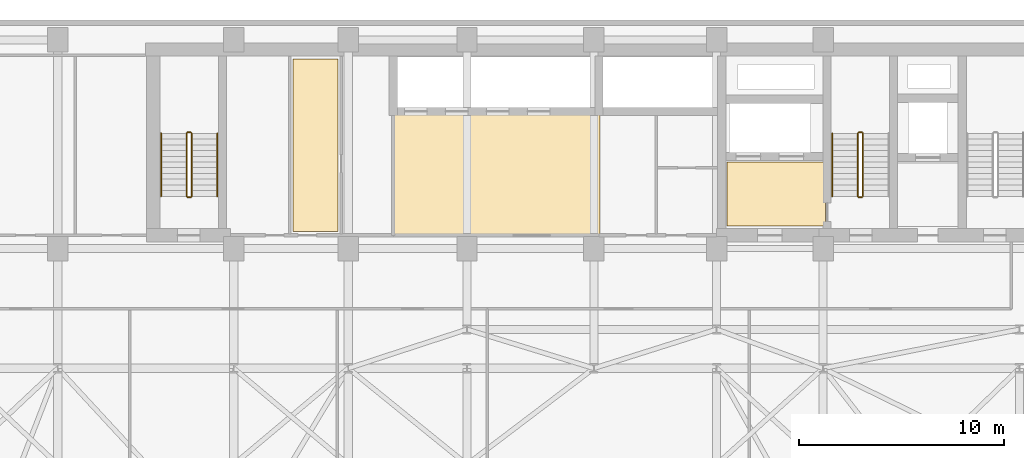
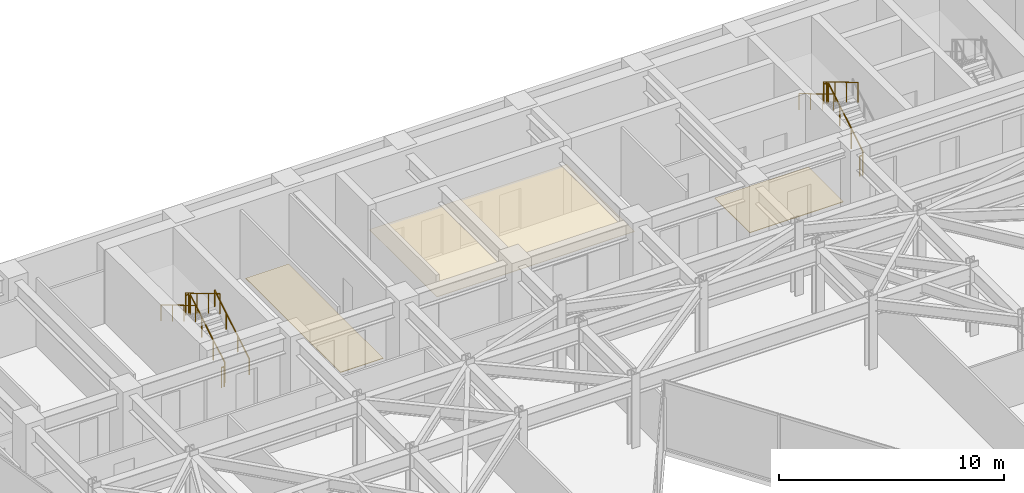
# One storey, part 25 of 26: 11 railings, 3 coverings.
"""IFC4 building model written with IfcOpenShell, lengths in metres."""

from ifc_helpers import new_model, si_unit, direction, frame, origin, origin_2d, place, context, subcontext, project, spatial, polyline, circle, outline, extrude, material, layer, layer_set, type_object, element, save


model = new_model("IFC4")

# Units and contexts
model_context = context("Model", 3, precision=1e-05, world=origin(), true_north=direction((0.0, 1.0)))
body_context = subcontext(model_context, "Body", "Model", "MODEL_VIEW")
ifc_project = project(units=[si_unit("LENGTHUNIT", "METRE"), si_unit("AREAUNIT", "SQUARE_METRE"), si_unit("VOLUMEUNIT", "CUBIC_METRE"), si_unit("PLANEANGLEUNIT", "RADIAN"), si_unit("MASSUNIT", "GRAM", prefix="KILO")], contexts=[model_context])

# Site, building, storey
site_placement = place(None, origin())
site = spatial("IfcSite", under=ifc_project, at=site_placement, CompositionType="ELEMENT")
building_placement = place(site_placement, origin())
building = spatial("IfcBuilding", under=site, at=building_placement, Name="Kravanh Interchange Tower", CompositionType="ELEMENT")
storey_placement = place(building_placement, frame((0.0, 0.0, 152.0)))
storey = spatial("IfcBuildingStorey", under=building, at=storey_placement, Name="L36", CompositionType="ELEMENT", Elevation=152.0)

# Coverings
ifc_material_1 = material(Name="Cementitious Terrazzo Tile")
ifc_layer_1 = layer(ifc_material_1, 0.030029296875)
ifc_layer_set_1 = layer_set([ifc_layer_1], Name="Honed Terrazzo Lobby Flooring 30mm")
covering_type_1 = type_object("IfcCoveringType", Name="Honed Terrazzo Lobby Flooring 30mm", PredefinedType="FLOORING", material=ifc_layer_set_1)
covering_1_placement = place(storey_placement, origin())
element("IfcCovering", 1, at=covering_1_placement, inside=storey, type_object=covering_type_1, Name="L36 Firefighting Lobby Floor Finish", PredefinedType="FLOORING", context=body_context, shape_type="SweptSolid", body=[
    extrude(outline(polyline([(56.1201171875, 38.4599609375), (51.300048828125, 38.4599609375), (51.300048828125, 41.580078125), (56.1201171875, 41.580078125), (56.1201171875, 38.4599609375)])), origin(), (0.0, 0.0, 1.0), 0.030029296875),
])
covering_2_placement = place(storey_placement, origin())
element("IfcCovering", 2, at=covering_2_placement, inside=storey, type_object=covering_type_1, Name="L36 First Aid and Lactation Room Floor Finish", PredefinedType="FLOORING", context=body_context, shape_type="SweptSolid", body=[
    extrude(outline(polyline([(30.10009765625, 46.6201171875), (32.300048828125, 46.6201171875), (32.300048828125, 38.179931640625), (30.10009765625, 38.179931640625), (30.10009765625, 46.6201171875)])), origin(), (0.0, 0.0, 1.0), 0.030029296875),
])
ifc_material_2 = material(Name="Acoustic Mineral Fibre Tile on Aluminium Grid", Category="aluminium")
ifc_layer_2 = layer(ifc_material_2, 0.02490234375)
ifc_layer_set_2 = layer_set([ifc_layer_2], Name="Perforated Acoustic Mineral Ceiling 25mm")
covering_type_2 = type_object("IfcCoveringType", Name="Perforated Acoustic Mineral Ceiling 25mm", PredefinedType="CEILING", material=ifc_layer_set_2)
covering_3_placement = place(storey_placement, frame((0.0, 0.0, 2.550048828125)))
element("IfcCovering", 3, at=covering_3_placement, inside=storey, type_object=covering_type_2, Name="L36 Mid-Rise Lift Lobby Suspended Ceiling", PredefinedType="CEILING", context=body_context, shape_type="SweptSolid", body=[
    extrude(outline(polyline([(45.090087890625, 37.9599609375), (34.93994140625, 37.9599609375), (34.93994140625, 43.989990234375), (45.090087890625, 43.989990234375), (45.090087890625, 37.9599609375)])), origin(), (0.0, 0.0, 1.0), 0.02490234375),
])

# Railings
ifc_material_3 = material(Name="Structural Steel S355", Category="steel")
ifc_layer_3 = layer(ifc_material_3, 0.050048828125)
ifc_layer_set_3 = layer_set([ifc_layer_3], Name="Stair Well Guardrail Structural Steel S355 1100mm")
railing_type_1 = type_object("IfcRailingType", Name="Stair Well Guardrail Structural Steel S355 1100mm", PredefinedType="GUARDRAIL", material=ifc_layer_set_3)
railing_1_placement = place(storey_placement, frame((57.949951171875, 39.89990234375, 0.166748046875)))
element("IfcRailing", 4, at=railing_1_placement, inside=storey, type_object=railing_type_1, Name="L36 ST2 stair guard 1", PredefinedType="GUARDRAIL", context=body_context, shape_type="SweptSolid", body=[
    extrude(circle(Radius=0.02392578125, at=origin_2d()), frame((0.0, 0.0, 1.076171875), z_axis=(0.0, 0.859308565015, 0.511457515432), x_axis=(-1.0, 0.0, 0.0)), (0.0, 0.0, 1.0), 3.58447265625),
    extrude(circle(Radius=0.02099609375, at=origin_2d()), origin(), (0.0, 0.0, 1.0), 1.052001953125),
    extrude(circle(Radius=0.02099609375, at=origin_2d()), frame((0.0, 1.026611328125, 0.611083984375)), (0.0, 0.0, 1.0), 1.052001953125),
    extrude(circle(Radius=0.02099609375, at=origin_2d()), frame((0.0, 2.053466796875, 1.22216796875)), (0.0, 0.0, 1.0), 1.052001953125),
    extrude(circle(Radius=0.02099609375, at=origin_2d()), frame((0.0, 3.080078125, 1.833251953125)), (0.0, 0.0, 1.0), 1.052001953125),
])
railing_2_placement = place(storey_placement, frame((57.89990234375, 43.030029296875, 2.0)))
element("IfcRailing", 5, at=railing_2_placement, inside=storey, type_object=railing_type_1, Name="L36 ST2 stair guard 2", PredefinedType="GUARDRAIL", context=body_context, shape_type="SweptSolid", body=[
    extrude(circle(Radius=0.02392578125, at=origin_2d()), frame((0.0, 0.0, 1.076171875), z_axis=(-1.0, 0.0, 0.0), x_axis=(0.0, -1.0, 0.0)), (0.0, 0.0, 1.0), 0.14990234375),
    extrude(circle(Radius=0.02099609375, at=origin_2d()), origin(), (0.0, 0.0, 1.0), 1.052001953125),
    extrude(circle(Radius=0.02099609375, at=origin_2d()), frame((-0.14990234375, 0.0, 0.0)), (0.0, 0.0, 1.0), 1.052001953125),
])
railing_3_placement = place(storey_placement, frame((57.699951171875, 42.97998046875, 2.166748046875)))
element("IfcRailing", 6, at=railing_3_placement, inside=storey, type_object=railing_type_1, Name="L36 ST2 stair guard 3", PredefinedType="GUARDRAIL", context=body_context, shape_type="SweptSolid", body=[
    extrude(circle(Radius=0.02392578125, at=origin_2d()), frame((0.0, 0.0, 1.076171875), z_axis=(0.0, -0.859308565015, 0.511457515432), x_axis=(1.0, 0.0, 0.0)), (0.0, 0.0, 1.0), 3.58447265625),
    extrude(circle(Radius=0.02099609375, at=origin_2d()), origin(), (0.0, 0.0, 1.0), 1.052001953125),
    extrude(circle(Radius=0.02099609375, at=origin_2d()), frame((0.0, -1.026611328125, 0.611083984375)), (0.0, 0.0, 1.0), 1.052001953125),
    extrude(circle(Radius=0.02099609375, at=origin_2d()), frame((0.0, -2.053466796875, 1.22216796875)), (0.0, 0.0, 1.0), 1.052001953125),
    extrude(circle(Radius=0.02099609375, at=origin_2d()), frame((0.0, -3.080078125, 1.833251953125)), (0.0, 0.0, 1.0), 1.052001953125),
])
railing_4_placement = place(storey_placement, frame((57.89990234375, 39.85009765625, 0.0)))
element("IfcRailing", 7, at=railing_4_placement, inside=storey, type_object=railing_type_1, Name="L36 ST2 stair guard 4", PredefinedType="GUARDRAIL", context=body_context, shape_type="SweptSolid", body=[
    extrude(circle(Radius=0.02392578125, at=origin_2d()), frame((0.0, 0.0, 1.076171875), z_axis=(-1.0, 0.0, 0.0), x_axis=(0.0, -1.0, 0.0)), (0.0, 0.0, 1.0), 0.14990234375),
    extrude(circle(Radius=0.02099609375, at=origin_2d()), origin(), (0.0, 0.0, 1.0), 1.052001953125),
    extrude(circle(Radius=0.02099609375, at=origin_2d()), frame((-0.14990234375, 0.0, 0.0)), (0.0, 0.0, 1.0), 1.052001953125),
])
railing_5_placement = place(storey_placement, frame((25.14990234375, 39.89990234375, 0.166748046875)))
element("IfcRailing", 8, at=railing_5_placement, inside=storey, type_object=railing_type_1, Name="L36 ST3 stair guard 1", PredefinedType="GUARDRAIL", context=body_context, shape_type="SweptSolid", body=[
    extrude(circle(Radius=0.02392578125, at=origin_2d()), frame((0.0, 0.0, 1.076171875), z_axis=(0.0, 0.859308565015, 0.511457515432), x_axis=(-1.0, 0.0, 0.0)), (0.0, 0.0, 1.0), 3.58447265625),
    extrude(circle(Radius=0.02099609375, at=origin_2d()), origin(), (0.0, 0.0, 1.0), 1.052001953125),
    extrude(circle(Radius=0.02099609375, at=origin_2d()), frame((0.0, 1.026611328125, 0.611083984375)), (0.0, 0.0, 1.0), 1.052001953125),
    extrude(circle(Radius=0.02099609375, at=origin_2d()), frame((0.0, 2.053466796875, 1.22216796875)), (0.0, 0.0, 1.0), 1.052001953125),
    extrude(circle(Radius=0.02099609375, at=origin_2d()), frame((0.0, 3.080078125, 1.833251953125)), (0.0, 0.0, 1.0), 1.052001953125),
])
railing_6_placement = place(storey_placement, frame((25.10009765625, 43.030029296875, 2.0)))
element("IfcRailing", 9, at=railing_6_placement, inside=storey, type_object=railing_type_1, Name="L36 ST3 stair guard 2", PredefinedType="GUARDRAIL", context=body_context, shape_type="SweptSolid", body=[
    extrude(circle(Radius=0.02392578125, at=origin_2d()), frame((0.0, 0.0, 1.076171875), z_axis=(-1.0, 0.0, 0.0), x_axis=(0.0, -1.0, 0.0)), (0.0, 0.0, 1.0), 0.150146484375),
    extrude(circle(Radius=0.02099609375, at=origin_2d()), origin(), (0.0, 0.0, 1.0), 1.052001953125),
    extrude(circle(Radius=0.02099609375, at=origin_2d()), frame((-0.150146484375, 0.0, 0.0)), (0.0, 0.0, 1.0), 1.052001953125),
])
railing_7_placement = place(storey_placement, frame((24.89990234375, 42.97998046875, 2.166748046875)))
element("IfcRailing", 10, at=railing_7_placement, inside=storey, type_object=railing_type_1, Name="L36 ST3 stair guard 3", PredefinedType="GUARDRAIL", context=body_context, shape_type="SweptSolid", body=[
    extrude(circle(Radius=0.02392578125, at=origin_2d()), frame((0.0, 0.0, 1.076171875), z_axis=(0.0, -0.859308565015, 0.511457515432), x_axis=(1.0, 0.0, 0.0)), (0.0, 0.0, 1.0), 3.58447265625),
    extrude(circle(Radius=0.02099609375, at=origin_2d()), origin(), (0.0, 0.0, 1.0), 1.052001953125),
    extrude(circle(Radius=0.02099609375, at=origin_2d()), frame((0.0, -1.026611328125, 0.611083984375)), (0.0, 0.0, 1.0), 1.052001953125),
    extrude(circle(Radius=0.02099609375, at=origin_2d()), frame((0.0, -2.053466796875, 1.22216796875)), (0.0, 0.0, 1.0), 1.052001953125),
    extrude(circle(Radius=0.02099609375, at=origin_2d()), frame((0.0, -3.080078125, 1.833251953125)), (0.0, 0.0, 1.0), 1.052001953125),
])
railing_8_placement = place(storey_placement, frame((25.10009765625, 39.85009765625, 0.0)))
element("IfcRailing", 11, at=railing_8_placement, inside=storey, type_object=railing_type_1, Name="L36 ST3 stair guard 4", PredefinedType="GUARDRAIL", context=body_context, shape_type="SweptSolid", body=[
    extrude(circle(Radius=0.02392578125, at=origin_2d()), frame((0.0, 0.0, 1.076171875), z_axis=(-1.0, 0.0, 0.0), x_axis=(0.0, -1.0, 0.0)), (0.0, 0.0, 1.0), 0.150146484375),
    extrude(circle(Radius=0.02099609375, at=origin_2d()), origin(), (0.0, 0.0, 1.0), 1.052001953125),
    extrude(circle(Radius=0.02099609375, at=origin_2d()), frame((-0.150146484375, 0.0, 0.0)), (0.0, 0.0, 1.0), 1.052001953125),
])
ifc_material_4 = material(Name="Stainless Steel 304", Category="steel")
ifc_layer_4 = layer(ifc_material_4, 0.044921875)
ifc_layer_set_4 = layer_set([ifc_layer_4], Name="Tubular Stair Handrail Stainless 304 900mm")
railing_type_2 = type_object("IfcRailingType", Name="Tubular Stair Handrail Stainless 304 900mm", PredefinedType="HANDRAIL", material=ifc_layer_set_4)
railing_9_placement = place(storey_placement, frame((56.449951171875, 42.97998046875, 2.166748046875)))
element("IfcRailing", 12, at=railing_9_placement, inside=storey, type_object=railing_type_2, Name="L36 ST2 stair handrail 2", PredefinedType="HANDRAIL", context=body_context, shape_type="SweptSolid", body=[
    extrude(circle(Radius=0.02392578125, at=origin_2d()), frame((0.0, 0.0, 0.8759765625), z_axis=(0.0, -0.859308565015, 0.511457515432), x_axis=(1.0, 0.0, 0.0)), (0.0, 0.0, 1.0), 3.58447265625),
    extrude(circle(Radius=0.02099609375, at=origin_2d()), origin(), (0.0, 0.0, 1.0), 0.851806640625),
    extrude(circle(Radius=0.02099609375, at=origin_2d()), frame((0.0, -1.026611328125, 0.611083984375)), (0.0, 0.0, 1.0), 0.851806640625),
    extrude(circle(Radius=0.02099609375, at=origin_2d()), frame((0.0, -2.053466796875, 1.22216796875)), (0.0, 0.0, 1.0), 0.851806640625),
    extrude(circle(Radius=0.02099609375, at=origin_2d()), frame((0.0, -3.080078125, 1.833251953125)), (0.0, 0.0, 1.0), 0.851806640625),
])
railing_10_placement = place(storey_placement, frame((26.39990234375, 39.89990234375, 0.166748046875)))
element("IfcRailing", 13, at=railing_10_placement, inside=storey, type_object=railing_type_2, Name="L36 ST3 stair handrail 1", PredefinedType="HANDRAIL", context=body_context, shape_type="SweptSolid", body=[
    extrude(circle(Radius=0.02392578125, at=origin_2d()), frame((0.0, 0.0, 0.8759765625), z_axis=(0.0, 0.859308565015, 0.511457515432), x_axis=(-1.0, 0.0, 0.0)), (0.0, 0.0, 1.0), 3.58447265625),
    extrude(circle(Radius=0.02099609375, at=origin_2d()), origin(), (0.0, 0.0, 1.0), 0.851806640625),
    extrude(circle(Radius=0.02099609375, at=origin_2d()), frame((0.0, 1.026611328125, 0.611083984375)), (0.0, 0.0, 1.0), 0.851806640625),
    extrude(circle(Radius=0.02099609375, at=origin_2d()), frame((0.0, 2.053466796875, 1.22216796875)), (0.0, 0.0, 1.0), 0.851806640625),
    extrude(circle(Radius=0.02099609375, at=origin_2d()), frame((0.0, 3.080078125, 1.833251953125)), (0.0, 0.0, 1.0), 0.851806640625),
])
railing_11_placement = place(storey_placement, frame((23.64990234375, 42.97998046875, 2.166748046875)))
element("IfcRailing", 14, at=railing_11_placement, inside=storey, type_object=railing_type_2, Name="L36 ST3 stair handrail 2", PredefinedType="HANDRAIL", context=body_context, shape_type="SweptSolid", body=[
    extrude(circle(Radius=0.02392578125, at=origin_2d()), frame((0.0, 0.0, 0.8759765625), z_axis=(0.0, -0.859308565015, 0.511457515432), x_axis=(1.0, 0.0, 0.0)), (0.0, 0.0, 1.0), 3.58447265625),
    extrude(circle(Radius=0.02099609375, at=origin_2d()), origin(), (0.0, 0.0, 1.0), 0.851806640625),
    extrude(circle(Radius=0.02099609375, at=origin_2d()), frame((0.0, -1.026611328125, 0.611083984375)), (0.0, 0.0, 1.0), 0.851806640625),
    extrude(circle(Radius=0.02099609375, at=origin_2d()), frame((0.0, -2.053466796875, 1.22216796875)), (0.0, 0.0, 1.0), 0.851806640625),
    extrude(circle(Radius=0.02099609375, at=origin_2d()), frame((0.0, -3.080078125, 1.833251953125)), (0.0, 0.0, 1.0), 0.851806640625),
])

save(model, "model.ifc")
